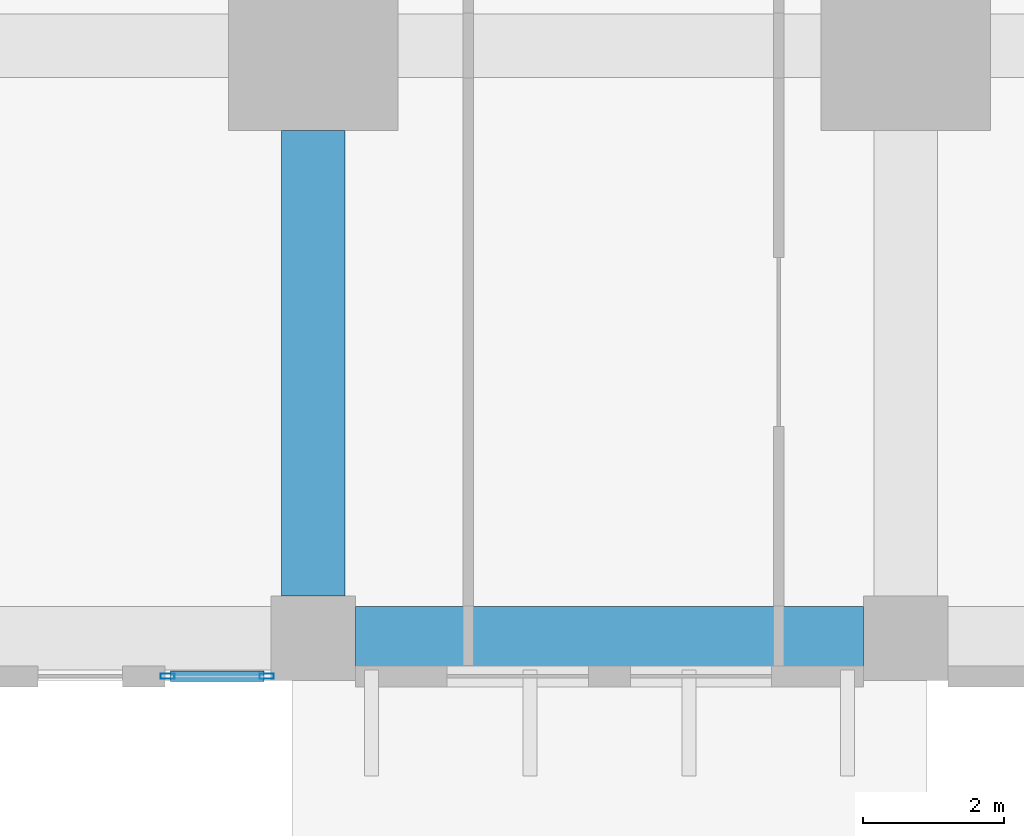
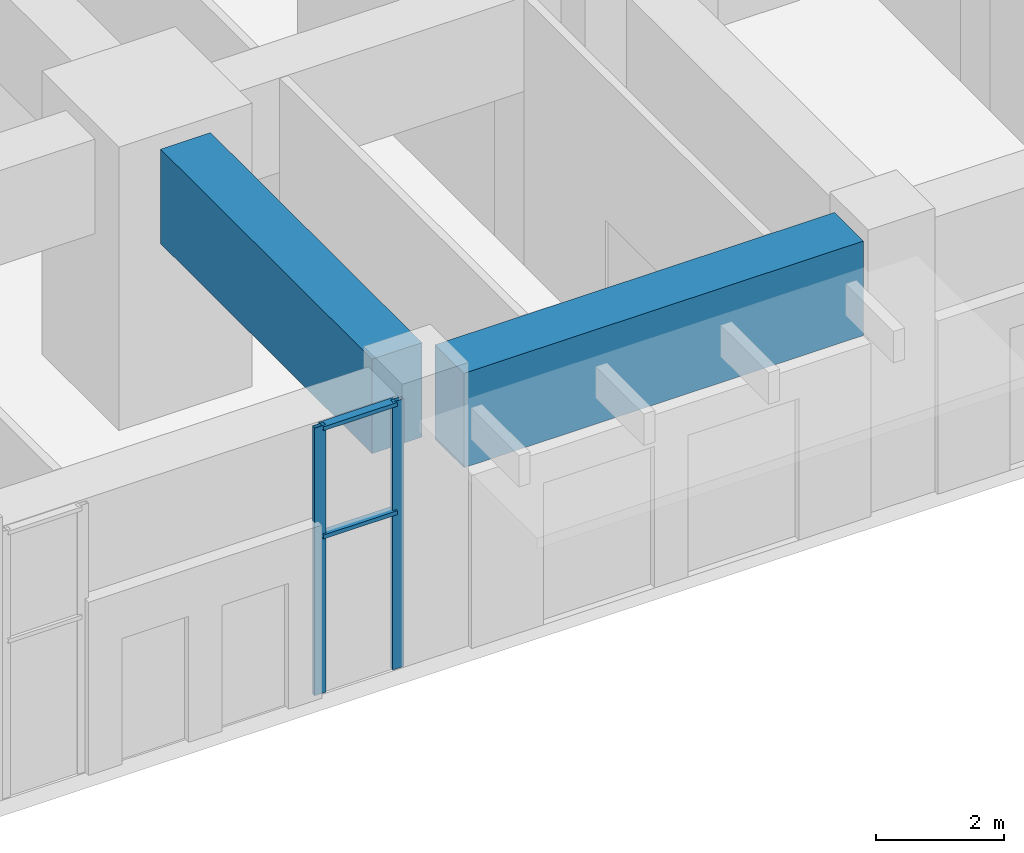
# One storey, part 13 of 81: 4 members, 2 beams, 1 element without a shape of its own.
"""IFC4 building model written with IfcOpenShell, lengths in metres."""

from ifc_helpers import new_model, si_unit, direction, frame, origin, origin_2d, place, context, subcontext, project, spatial, rectangle, hollow_rectangle, extrude, material, material_profile, profile_set, type_object, element, aggregate, save


model = new_model("IFC4")

# Units and contexts
model_context = context("Model", 3, precision=1e-05, world=origin(), true_north=direction((0.0, 1.0)))
body_context = subcontext(model_context, "Body", "Model", "MODEL_VIEW")
ifc_project = project(units=[si_unit("LENGTHUNIT", "METRE"), si_unit("AREAUNIT", "SQUARE_METRE"), si_unit("VOLUMEUNIT", "CUBIC_METRE"), si_unit("PLANEANGLEUNIT", "RADIAN"), si_unit("MASSUNIT", "GRAM", prefix="KILO")], contexts=[model_context])

# Site, building, storey
site_placement = place(None, origin())
site = spatial("IfcSite", under=ifc_project, at=site_placement, CompositionType="ELEMENT")
building_placement = place(site_placement, origin())
building = spatial("IfcBuilding", under=site, at=building_placement, Name="Rekha Terrace Tower", CompositionType="ELEMENT")
storey_placement = place(building_placement, origin())
storey = spatial("IfcBuildingStorey", under=building, at=storey_placement, Name="L00", CompositionType="ELEMENT", Elevation=0.0)

# Curtain wall, members
ifc_material_1 = material(Name="Aluminium framing", Category="aluminium")
curtain_wall_type = type_object("IfcCurtainWallType", Name="CW4 podium shopfront glazing", PredefinedType="USERDEFINED", material=ifc_material_1)
curtain_wall_placement = place(storey_placement, origin())
curtain_wall = element("IfcCurtainWall", 1, at=curtain_wall_placement, inside=storey, type_object=curtain_wall_type, Name="CW4 shopfront curtain wall", ObjectType="SHOPFRONT CURTAIN WALL", PredefinedType="USERDEFINED")
ifc_material_2 = material(Name="Aluminium mullion section", Category="aluminium")
ifc_material_profile_1 = material_profile(ifc_material_2, hollow_rectangle(XDim=0.074951171875, YDim=0.199951171875, WallThickness=0.00390625, at=origin_2d()), Name="AL RHS 75x200")
ifc_profile_set_1 = profile_set([ifc_material_profile_1], Name="Aluminium mullion section")
member_type_1 = type_object("IfcMemberType", Name="CW4 mullion RHS 75 x 200", PredefinedType="MULLION", material=ifc_profile_set_1)
member_1_placement = place(storey_placement, frame((31.53759765625, -0.5400390625, 0.0), z_axis=(0.0, 0.0, 1.0), x_axis=(0.0, 1.0, 0.0)))
member_1 = element("IfcMember", 2, at=member_1_placement, type_object=member_type_1, Name="CW4 mullion 1", PredefinedType="MULLION", context=body_context, shape_type="SweptSolid", body=[
    extrude(hollow_rectangle(XDim=0.074951171875, YDim=0.199951171875, WallThickness=0.00390625, at=origin_2d()), origin(), (0.0, 0.0, 1.0), 5.10009765625),
])
member_2_placement = place(storey_placement, frame((32.9423828125, -0.5400390625, 0.0), z_axis=(0.0, 0.0, 1.0), x_axis=(0.0, 1.0, 0.0)))
member_2 = element("IfcMember", 3, at=member_2_placement, type_object=member_type_1, Name="CW4 mullion 2", PredefinedType="MULLION", context=body_context, shape_type="SweptSolid", body=[
    extrude(hollow_rectangle(XDim=0.074951171875, YDim=0.199951171875, WallThickness=0.00390625, at=origin_2d()), origin(), (0.0, 0.0, 1.0), 5.10009765625),
])
ifc_material_3 = material(Name="Aluminium transom section", Category="aluminium")
ifc_material_profile_2 = material_profile(ifc_material_3, hollow_rectangle(XDim=0.14990234375, YDim=0.074951171875, WallThickness=0.0029296875, at=origin_2d()), Name="AL RHS 150x75")
ifc_profile_set_2 = profile_set([ifc_material_profile_2], Name="Aluminium transom section")
member_type_2 = type_object("IfcMemberType", Name="CW4 transom RHS 75 x 150", PredefinedType="USERDEFINED", material=ifc_profile_set_2)
member_3_placement = place(storey_placement, frame((31.574951171875, -0.5400390625, 3.0), z_axis=(1.0, 0.0, 0.0), x_axis=(0.0, 1.0, 0.0)))
member_3 = element("IfcMember", 4, at=member_3_placement, type_object=member_type_2, Name="CW4 transom 1.2", ObjectType="TRANSOM", PredefinedType="USERDEFINED", context=body_context, shape_type="SweptSolid", body=[
    extrude(hollow_rectangle(XDim=0.14990234375, YDim=0.074951171875, WallThickness=0.0029296875, at=origin_2d()), origin(), (0.0, 0.0, 1.0), 1.330078125),
])
member_4_placement = place(storey_placement, frame((31.574951171875, -0.5400390625, 5.0625), z_axis=(1.0, 0.0, 0.0), x_axis=(0.0, 1.0, 0.0)))
member_4 = element("IfcMember", 5, at=member_4_placement, type_object=member_type_2, Name="CW4 transom 1.3", ObjectType="TRANSOM", PredefinedType="USERDEFINED", context=body_context, shape_type="SweptSolid", body=[
    extrude(hollow_rectangle(XDim=0.14990234375, YDim=0.074951171875, WallThickness=0.0029296875, at=origin_2d()), origin(), (0.0, 0.0, 1.0), 1.330078125),
])
aggregate(curtain_wall, [member_1, member_2, member_3, member_4])

# Beams
ifc_material_4 = material(Name="Concrete M60", Category="concrete")
ifc_material_profile_3 = material_profile(ifc_material_4, rectangle(XDim=0.89990234375, YDim=1.800048828125, at=origin_2d()), Name="RC 900x1800")
ifc_profile_set_3 = profile_set([ifc_material_profile_3], Name="Concrete M60")
beam_type = type_object("IfcBeamType", Name="G1 900x1800 podium floor beam", PredefinedType="BEAM", material=ifc_profile_set_3)
beam_1_placement = place(storey_placement, frame((34.199951171875, 0.0, 4.199951171875), z_axis=(1.0, 0.0, 0.0), x_axis=(0.0, 1.0, 0.0)))
element("IfcBeam", 6, at=beam_1_placement, inside=storey, type_object=beam_type, Name="Beam G1 5A-6A under L01", PredefinedType="BEAM", context=body_context, shape_type="SweptSolid", body=[
    extrude(rectangle(XDim=0.89990234375, YDim=1.800048828125, at=origin_2d()), origin(), (0.0, 0.0, 1.0), 7.199951171875),
])
beam_2_placement = place(storey_placement, frame((33.60009765625, 0.60009765625, 4.199951171875), z_axis=(0.0, 1.0, 0.0), x_axis=(-1.0, 0.0, 0.0)))
element("IfcBeam", 7, at=beam_2_placement, inside=storey, type_object=beam_type, Name="Beam G1 5A-5B under L01", PredefinedType="BEAM", context=body_context, shape_type="SweptSolid", body=[
    extrude(rectangle(XDim=0.89990234375, YDim=1.800048828125, at=origin_2d()), origin(), (0.0, 0.0, 1.0), 6.599853515625),
])

save(model, "model.ifc")
